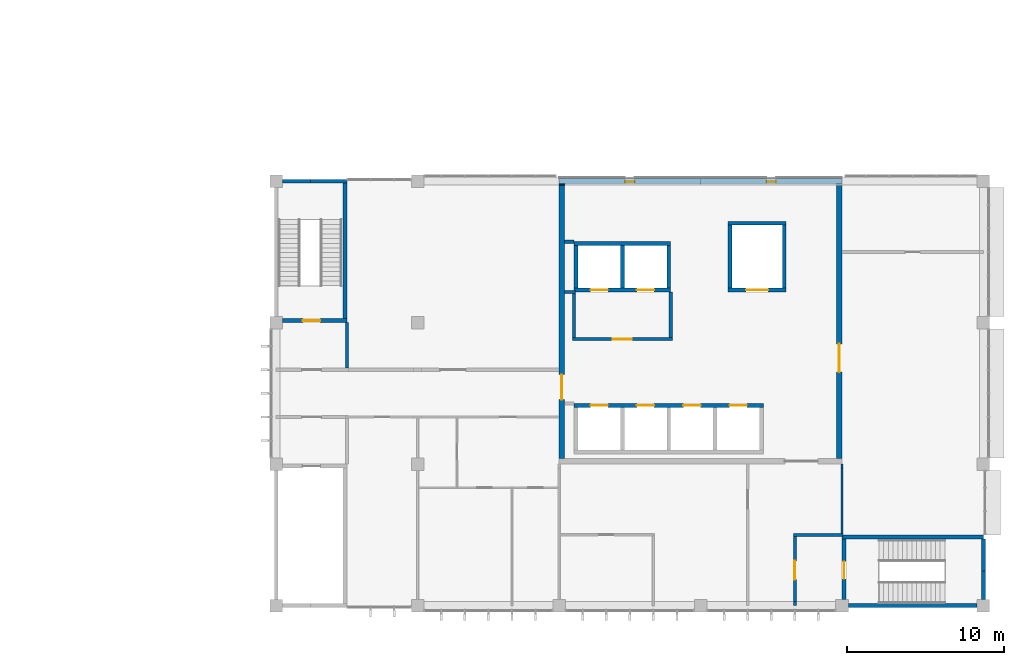
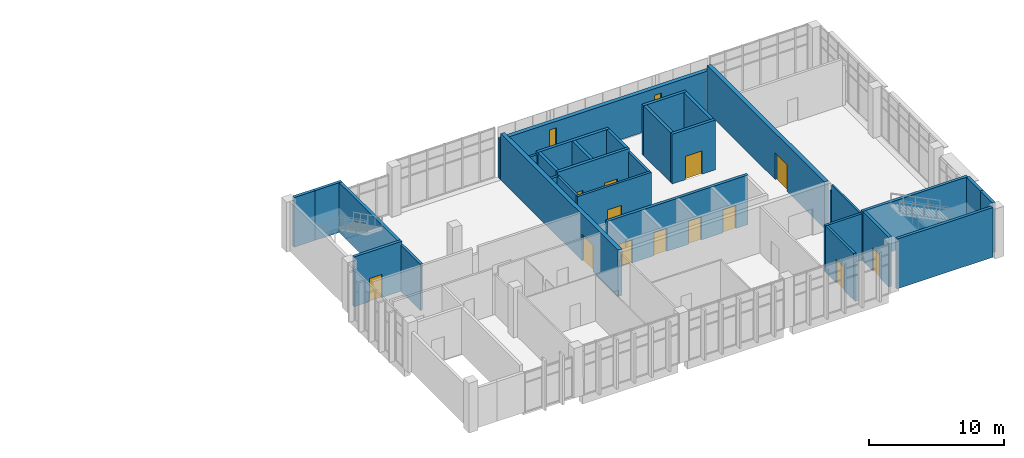
# One storey, part 14 of 19: 34 walls, 13 doors, 2 windows, 15 openings.
"""IFC4 building model written with IfcOpenShell, lengths in metres."""

from ifc_helpers import new_model, si_unit, direction, frame, frame_2d, origin, place, context, subcontext, project, spatial, rectangle, extrude, material, layer, layer_set, type_object, element, fill, save


model = new_model("IFC4")

# Units and contexts
model_context = context("Model", 3, precision=1e-05, world=origin(), true_north=direction((0.0, 1.0)))
body_context = subcontext(model_context, "Body", "Model", "MODEL_VIEW")
ifc_project = project(units=[si_unit("LENGTHUNIT", "METRE"), si_unit("AREAUNIT", "SQUARE_METRE"), si_unit("VOLUMEUNIT", "CUBIC_METRE"), si_unit("PLANEANGLEUNIT", "RADIAN"), si_unit("MASSUNIT", "GRAM", prefix="KILO")], contexts=[model_context])

# Site, building, storey
site_placement = place(None, origin())
site = spatial("IfcSite", under=ifc_project, at=site_placement, CompositionType="ELEMENT")
building_placement = place(site_placement, origin())
building = spatial("IfcBuilding", under=site, at=building_placement, Name="Guidao Yard Department Store", CompositionType="ELEMENT")
storey_placement = place(building_placement, frame((0.0, 0.0, 33.0)))
storey = spatial("IfcBuildingStorey", under=building, at=storey_placement, Name="L07", CompositionType="ELEMENT", Elevation=33.0)

# Walls
ifc_material_1 = material(Name="Gypsum Board")
ifc_layer_1 = layer(ifc_material_1, 0.14990234375)
ifc_layer_set_1 = layer_set([ifc_layer_1], Name="Corridor Partition 150 Gypsum Board EI 60")
wall_type_1 = type_object("IfcWallType", Name="Corridor Partition 150 Gypsum Board EI 60", PredefinedType="PARTITIONING", material=ifc_layer_set_1)
wall_1_placement = place(storey_placement, frame((162.0, 4.60009765625, 0.0), z_axis=(0.0, 0.0, 1.0), x_axis=(0.0, 1.0, 0.0)))
element("IfcWall", 1, at=wall_1_placement, inside=storey, type_object=wall_type_1, Name="pt.wall.L07.0028", PredefinedType="PARTITIONING", context=body_context, shape_type="SweptSolid", body=[
    extrude(rectangle(XDim=4.14990234375, YDim=0.14990234375, at=frame_2d((2.074951171875, 0.0))), origin(), (0.0, 0.0, 1.0), 4.199951171875),
])
wall_2_placement = place(storey_placement, frame((162.0, 8.75, 0.0), z_axis=(0.0, 0.0, 1.0), x_axis=(0.0, 1.0, 0.0)))
element("IfcWall", 2, at=wall_2_placement, inside=storey, type_object=wall_type_1, Name="pt.wall.L07.0028a", PredefinedType="PARTITIONING", context=body_context, shape_type="SweptSolid", body=[
    extrude(rectangle(XDim=0.25, YDim=0.14990234375, at=frame_2d((0.125, 0.0))), origin(), (0.0, 0.0, 1.0), 3.60009765625),
])
ifc_material_2 = material(Name="Autoclaved aerated concrete block A3.5 B06", Category="concrete")
ifc_layer_2 = layer(ifc_material_2, 0.199951171875)
ifc_layer_set_2 = layer_set([ifc_layer_2], Name="Fire Wall 200 Autoclaved Block EI 120")
wall_type_2 = type_object("IfcWallType", Name="Fire Wall 200 Autoclaved Block EI 120", PredefinedType="PARTITIONING", material=ifc_layer_set_2)
wall_3_placement = place(storey_placement, frame((130.5, 15.10009765625, 0.0), z_axis=(0.0, 0.0, 1.0), x_axis=(0.0, 1.0, 0.0)))
element("IfcWall", 3, at=wall_3_placement, inside=storey, type_object=wall_type_2, Name="pt.wall.L07.0015", PredefinedType="PARTITIONING", context=body_context, shape_type="SweptSolid", body=[
    extrude(rectangle(XDim=2.89990234375, YDim=0.199951171875, at=frame_2d((1.449951171875, 0.0))), origin(), (0.0, 0.0, 1.0), 4.199951171875),
])

# Wall, openings, windows
ifc_material_3 = material(Name="Concrete C40", Category="concrete")
ifc_layer_3 = layer(ifc_material_3, 0.35009765625)
ifc_layer_set_3 = layer_set([ifc_layer_3], Name="Office core face wall 350 C40")
wall_type_3 = type_object("IfcWallType", Name="Office core face wall 350 C40", PredefinedType="SOLIDWALL", material=ifc_layer_set_3)
wall_4_placement = place(storey_placement, frame((144.0, 27.0, 0.0), z_axis=(0.0, 0.0, 1.0), x_axis=(1.0, 0.0, 0.0)))
wall_4 = element("IfcWall", 4, at=wall_4_placement, inside=storey, type_object=wall_type_3, Name="Office north face wall", PredefinedType="SOLIDWALL", context=body_context, shape_type="SweptSolid", body=[
    extrude(rectangle(XDim=18.0, YDim=0.35009765625, at=frame_2d((9.0, 0.0))), origin(), (0.0, 0.0, 1.0), 3.60009765625),
])
opening_1_placement = place(wall_4_placement, frame((4.199951171875, 0.0, 0.60009765625)))
opening_1 = element("IfcOpeningElement", 5, at=opening_1_placement, cuts=wall_4, Name="Opening WN-L07-E01", PredefinedType="OPENING", context=body_context, shape_type="SweptSolid", body=[
    extrude(rectangle(XDim=0.60009765625, YDim=2.39990234375, at=frame_2d((0.300048828125, 1.199951171875))), frame((0.0, 0.18505859375, 0.0), z_axis=(0.0, -1.0, 0.0), x_axis=(1.0, 0.0, 0.0)), (0.0, 0.0, 1.0), 0.3701171875),
])
opening_2_placement = place(wall_4_placement, frame((13.199951171875, 0.0, 0.60009765625)))
opening_2 = element("IfcOpeningElement", 6, at=opening_2_placement, cuts=wall_4, Name="Opening WN-L07-E02", PredefinedType="OPENING", context=body_context, shape_type="SweptSolid", body=[
    extrude(rectangle(XDim=0.60009765625, YDim=2.39990234375, at=frame_2d((0.300048828125, 1.199951171875))), frame((0.0, 0.18505859375, 0.0), z_axis=(0.0, -1.0, 0.0), x_axis=(1.0, 0.0, 0.0)), (0.0, 0.0, 1.0), 0.3701171875),
])
ifc_material_4 = material(Name="Laminated glass in aluminium frame", Category="aluminium")
window_type = type_object("IfcWindowType", Name="Lobby window LW1 600 x 2400 fixed", PartitioningType="SINGLE_PANEL", PredefinedType="WINDOW", material=ifc_material_4)
window_1_placement = place(opening_1_placement, origin())
window_1 = element("IfcWindow", 7, at=window_1_placement, inside=storey, type_object=window_type, Name="Lift lobby window", OverallHeight=2.39990234375, OverallWidth=0.60009765625, PartitioningType="SINGLE_PANEL", PredefinedType="WINDOW", context=body_context, shape_type="SweptSolid", body=[
    extrude(rectangle(XDim=0.60009765625, YDim=2.39990234375, at=frame_2d((0.300048828125, 1.199951171875))), frame((0.0, -0.0048828125, 0.0), z_axis=(0.0, -1.0, 0.0), x_axis=(1.0, 0.0, 0.0)), (0.0, 0.0, 1.0), 0.06005859375),
])
fill(opening_1, window_1)
window_2_placement = place(opening_2_placement, origin())
window_2 = element("IfcWindow", 8, at=window_2_placement, inside=storey, type_object=window_type, Name="Lift lobby window", OverallHeight=2.39990234375, OverallWidth=0.60009765625, PartitioningType="SINGLE_PANEL", PredefinedType="WINDOW", context=body_context, shape_type="SweptSolid", body=[
    extrude(rectangle(XDim=0.60009765625, YDim=2.39990234375, at=frame_2d((0.300048828125, 1.199951171875))), frame((0.0, -0.0048828125, 0.0), z_axis=(0.0, -1.0, 0.0), x_axis=(1.0, 0.0, 0.0)), (0.0, 0.0, 1.0), 0.06005859375),
])
fill(opening_2, window_2)

# Wall
ifc_material_5 = material(Name="Autoclaved aerated concrete block A3.5 B06", Category="concrete")
ifc_layer_4 = layer(ifc_material_5, 0.199951171875)
ifc_layer_set_4 = layer_set([ifc_layer_4], Name="Shaft Wall 200 Autoclaved Block EI 120")
wall_type_4 = type_object("IfcWallType", Name="Shaft Wall 200 Autoclaved Block EI 120", PredefinedType="PARTITIONING", material=ifc_layer_set_4)
wall_5_placement = place(storey_placement, frame((158.89990234375, 4.5, 0.0), z_axis=(0.0, 0.0, 1.0), x_axis=(1.0, 0.0, 0.0)))
element("IfcWall", 9, at=wall_5_placement, inside=storey, type_object=wall_type_4, Name="pt.wall.L07.0002", PredefinedType="PARTITIONING", context=body_context, shape_type="SweptSolid", body=[
    extrude(rectangle(XDim=3.175048828125, YDim=0.199951171875, at=frame_2d((1.58740234375, 0.0))), origin(), (0.0, 0.0, 1.0), 4.199951171875),
])

# Wall, opening, door
wall_6_placement = place(storey_placement, frame((144.85009765625, 16.949951171875, 0.0), z_axis=(0.0, 0.0, 1.0), x_axis=(1.0, 0.0, 0.0)))
wall_6 = element("IfcWall", 10, at=wall_6_placement, inside=storey, type_object=wall_type_4, Name="pt.wall.L07.0010", PredefinedType="PARTITIONING", context=body_context, shape_type="SweptSolid", body=[
    extrude(rectangle(XDim=6.349853515625, YDim=0.199951171875, at=frame_2d((3.1748046875, 0.0))), origin(), (0.0, 0.0, 1.0), 4.199951171875),
])
opening_3_placement = place(wall_6_placement, frame((2.574951171875, 0.0, 0.0)))
opening_3 = element("IfcOpeningElement", 11, at=opening_3_placement, cuts=wall_6, Name="Opening L07-400", PredefinedType="OPENING", context=body_context, shape_type="SweptSolid", body=[
    extrude(rectangle(XDim=1.199951171875, YDim=2.10009765625, at=frame_2d((0.60009765625, 1.050048828125))), frame((0.0, 0.10986328125, 0.0), z_axis=(0.0, -1.0, 0.0), x_axis=(1.0, 0.0, 0.0)), (0.0, 0.0, 1.0), 0.219970703125),
])
ifc_material_6 = material(Name="Timber door leaf with Steel Q235 frame", Category="steel")
door_type_1 = type_object("IfcDoorType", Name="Door 1200 x 2100 FD60 Single Leaf", OperationType="SINGLE_SWING_LEFT", PredefinedType="DOOR", material=ifc_material_6)
door_1_placement = place(opening_3_placement, origin())
door_1 = element("IfcDoor", 12, at=door_1_placement, inside=storey, type_object=door_type_1, Name="Door L07-400", OperationType="SINGLE_SWING_RIGHT", OverallHeight=2.10009765625, OverallWidth=1.199951171875, PredefinedType="DOOR", context=body_context, shape_type="SweptSolid", body=[
    extrude(rectangle(XDim=1.199951171875, YDim=2.10009765625, at=frame_2d((0.60009765625, 1.050048828125))), frame((0.0, 0.02490234375, 0.0), z_axis=(0.0, -1.0, 0.0), x_axis=(1.0, 0.0, 0.0)), (0.0, 0.0, 1.0), 0.050048828125),
])
fill(opening_3, door_1)

# Walls
wall_7_placement = place(storey_placement, frame((144.35009765625, 19.949951171875, 0.0), z_axis=(0.0, 0.0, 1.0), x_axis=(1.0, 0.0, 0.0)))
element("IfcWall", 13, at=wall_7_placement, inside=storey, type_object=wall_type_4, Name="pt.wall.L07.0011", PredefinedType="PARTITIONING", context=body_context, shape_type="SweptSolid", body=[
    extrude(rectangle(XDim=0.699951171875, YDim=0.199951171875, at=frame_2d((0.35009765625, 0.0))), origin(), (0.0, 0.0, 1.0), 4.199951171875),
])
wall_8_placement = place(storey_placement, frame((144.35009765625, 23.14990234375, 0.0), z_axis=(0.0, 0.0, 1.0), x_axis=(1.0, 0.0, 0.0)))
element("IfcWall", 14, at=wall_8_placement, inside=storey, type_object=wall_type_4, Name="pt.wall.L07.0013", PredefinedType="PARTITIONING", context=body_context, shape_type="SweptSolid", body=[
    extrude(rectangle(XDim=0.599853515625, YDim=0.199951171875, at=frame_2d((0.2998046875, 0.0))), origin(), (0.0, 0.0, 1.0), 4.199951171875),
])
wall_9_placement = place(storey_placement, frame((144.949951171875, 17.050048828125, 0.0), z_axis=(0.0, 0.0, 1.0), x_axis=(0.0, 1.0, 0.0)))
element("IfcWall", 15, at=wall_9_placement, inside=storey, type_object=wall_type_4, Name="pt.wall.L07.0022", PredefinedType="PARTITIONING", context=body_context, shape_type="SweptSolid", body=[
    extrude(rectangle(XDim=2.800048828125, YDim=0.199951171875, at=frame_2d((1.39990234375, 0.0))), origin(), (0.0, 0.0, 1.0), 4.199951171875),
])
wall_10_placement = place(storey_placement, frame((151.10009765625, 17.050048828125, 0.0), z_axis=(0.0, 0.0, 1.0), x_axis=(0.0, 1.0, 0.0)))
element("IfcWall", 16, at=wall_10_placement, inside=storey, type_object=wall_type_4, Name="pt.wall.L07.0024", PredefinedType="PARTITIONING", context=body_context, shape_type="SweptSolid", body=[
    extrude(rectangle(XDim=2.89990234375, YDim=0.199951171875, at=frame_2d((1.449951171875, 0.0))), origin(), (0.0, 0.0, 1.0), 4.199951171875),
])
wall_11_placement = place(storey_placement, frame((159.0, 0.0, 0.0), z_axis=(0.0, 0.0, 1.0), x_axis=(0.0, 1.0, 0.0)))
element("IfcWall", 17, at=wall_11_placement, inside=storey, type_object=wall_type_4, Name="pt.wall.L07.0026", PredefinedType="PARTITIONING", context=body_context, shape_type="SweptSolid", body=[
    extrude(rectangle(XDim=0.25, YDim=0.199951171875, at=frame_2d((0.125, 0.0))), origin(), (0.0, 0.0, 1.0), 3.60009765625),
])

# Wall, opening, door
wall_12_placement = place(storey_placement, frame((159.0, 0.25, 0.0), z_axis=(0.0, 0.0, 1.0), x_axis=(0.0, 1.0, 0.0)))
wall_12 = element("IfcWall", 18, at=wall_12_placement, inside=storey, type_object=wall_type_4, Name="pt.wall.L07.0026a", PredefinedType="PARTITIONING", context=body_context, shape_type="SweptSolid", body=[
    extrude(rectangle(XDim=4.14990234375, YDim=0.199951171875, at=frame_2d((2.074951171875, 0.0))), origin(), (0.0, 0.0, 1.0), 4.199951171875),
])
opening_4_placement = place(wall_12_placement, frame((2.599853515625, 0.0, 0.0), z_axis=(0.0, 0.0, 1.0), x_axis=(-1.0, 0.0, 0.0)))
opening_4 = element("IfcOpeningElement", 19, at=opening_4_placement, cuts=wall_12, Name="Opening L07-402", PredefinedType="OPENING", context=body_context, shape_type="SweptSolid", body=[
    extrude(rectangle(XDim=1.199951171875, YDim=2.10009765625, at=frame_2d((0.60009765625, 1.050048828125))), frame((0.0, 0.10986328125, 0.0), z_axis=(0.0, -1.0, 0.0), x_axis=(1.0, 0.0, 0.0)), (0.0, 0.0, 1.0), 0.219970703125),
])
door_2_placement = place(opening_4_placement, origin())
door_2 = element("IfcDoor", 20, at=door_2_placement, inside=storey, type_object=door_type_1, Name="Door L07-402", OperationType="SINGLE_SWING_RIGHT", OverallHeight=2.10009765625, OverallWidth=1.199951171875, PredefinedType="DOOR", context=body_context, shape_type="SweptSolid", body=[
    extrude(rectangle(XDim=1.199951171875, YDim=2.10009765625, at=frame_2d((0.60009765625, 1.050048828125))), frame((0.0, 0.02490234375, 0.0), z_axis=(0.0, -1.0, 0.0), x_axis=(1.0, 0.0, 0.0)), (0.0, 0.0, 1.0), 0.050048828125),
])
fill(opening_4, door_2)

ifc_material_7 = material(Name="Concrete C50", Category="concrete")
ifc_layer_5 = layer(ifc_material_7, 0.35009765625)
ifc_layer_set_5 = layer_set([ifc_layer_5], Name="Shear Wall 350 Concrete C50")
wall_type_5 = type_object("IfcWallType", Name="Shear Wall 350 Concrete C50", PredefinedType="SHEAR", material=ifc_layer_set_5)
wall_13_placement = place(storey_placement, frame((144.175048828125, 9.35009765625, 0.0), z_axis=(0.0, 0.0, 1.0), x_axis=(0.0, 1.0, 0.0)))
wall_13 = element("IfcWall", 21, at=wall_13_placement, inside=storey, type_object=wall_type_5, Name="pt.wall.L07.0021", PredefinedType="SHEAR", context=body_context, shape_type="SweptSolid", body=[
    extrude(rectangle(XDim=17.39990234375, YDim=0.35009765625, at=frame_2d((8.699951171875, 0.0))), origin(), (0.0, 0.0, 1.0), 4.199951171875),
])
opening_5_placement = place(wall_13_placement, frame((3.75, 0.0, 0.0)))
opening_5 = element("IfcOpeningElement", 22, at=opening_5_placement, cuts=wall_13, Name="Opening L07-404", PredefinedType="OPENING", context=body_context, shape_type="SweptSolid", body=[
    extrude(rectangle(XDim=1.60009765625, YDim=2.39990234375, at=frame_2d((0.800048828125, 1.199951171875))), frame((0.0, 0.18505859375, 0.0), z_axis=(0.0, -1.0, 0.0), x_axis=(1.0, 0.0, 0.0)), (0.0, 0.0, 1.0), 0.3701171875),
])
ifc_material_8 = material(Name="Timber door leaf with Steel Q235 frame", Category="steel")
door_type_2 = type_object("IfcDoorType", Name="Door 1600 x 2400 FD60 Double Leaf", OperationType="DOUBLE_DOOR_SINGLE_SWING", PredefinedType="DOOR", material=ifc_material_8)
door_3_placement = place(opening_5_placement, origin())
door_3 = element("IfcDoor", 23, at=door_3_placement, inside=storey, type_object=door_type_2, Name="Door L07-404", OperationType="DOUBLE_DOOR_SINGLE_SWING", OverallHeight=2.39990234375, OverallWidth=1.60009765625, PredefinedType="DOOR", context=body_context, shape_type="SweptSolid", body=[
    extrude(rectangle(XDim=1.60009765625, YDim=2.39990234375, at=frame_2d((0.800048828125, 1.199951171875))), frame((0.0, 0.02490234375, 0.0), z_axis=(0.0, -1.0, 0.0), x_axis=(1.0, 0.0, 0.0)), (0.0, 0.0, 1.0), 0.050048828125),
])
fill(opening_5, door_3)

# Wall
wall_14_placement = place(storey_placement, frame((144.175048828125, 26.75, 0.0), z_axis=(0.0, 0.0, 1.0), x_axis=(0.0, 1.0, 0.0)))
element("IfcWall", 24, at=wall_14_placement, inside=storey, type_object=wall_type_5, Name="pt.wall.L07.0021a", PredefinedType="SHEAR", context=body_context, shape_type="SweptSolid", body=[
    extrude(rectangle(XDim=0.074951171875, YDim=0.35009765625, at=frame_2d((0.03759765625, 0.0))), origin(), (0.0, 0.0, 1.0), 3.60009765625),
])

# Wall, opening, door
wall_15_placement = place(storey_placement, frame((161.824951171875, 9.35009765625, 0.0), z_axis=(0.0, 0.0, 1.0), x_axis=(0.0, 1.0, 0.0)))
wall_15 = element("IfcWall", 25, at=wall_15_placement, inside=storey, type_object=wall_type_5, Name="pt.wall.L07.0027", PredefinedType="SHEAR", context=body_context, shape_type="SweptSolid", body=[
    extrude(rectangle(XDim=17.39990234375, YDim=0.35009765625, at=frame_2d((8.699951171875, 0.0))), origin(), (0.0, 0.0, 1.0), 4.199951171875),
])
opening_6_placement = place(wall_15_placement, frame((7.300048828125, 0.0, 0.0), z_axis=(0.0, 0.0, 1.0), x_axis=(-1.0, 0.0, 0.0)))
opening_6 = element("IfcOpeningElement", 26, at=opening_6_placement, cuts=wall_15, Name="Opening L07-405", PredefinedType="OPENING", context=body_context, shape_type="SweptSolid", body=[
    extrude(rectangle(XDim=1.800048828125, YDim=2.39990234375, at=frame_2d((0.89990234375, 1.199951171875))), frame((0.0, 0.18505859375, 0.0), z_axis=(0.0, -1.0, 0.0), x_axis=(1.0, 0.0, 0.0)), (0.0, 0.0, 1.0), 0.3701171875),
])
ifc_material_9 = material(Name="Timber door leaf with Steel Q235 frame", Category="steel")
door_type_3 = type_object("IfcDoorType", Name="Door 1800 x 2400 FD60 Double Leaf", OperationType="DOUBLE_DOOR_SINGLE_SWING", PredefinedType="DOOR", material=ifc_material_9)
door_4_placement = place(opening_6_placement, origin())
door_4 = element("IfcDoor", 27, at=door_4_placement, inside=storey, type_object=door_type_3, Name="Door L07-405", OperationType="DOUBLE_DOOR_SINGLE_SWING", OverallHeight=2.39990234375, OverallWidth=1.800048828125, PredefinedType="DOOR", context=body_context, shape_type="SweptSolid", body=[
    extrude(rectangle(XDim=1.800048828125, YDim=2.39990234375, at=frame_2d((0.89990234375, 1.199951171875))), frame((0.0, 0.02490234375, 0.0), z_axis=(0.0, -1.0, 0.0), x_axis=(1.0, 0.0, 0.0)), (0.0, 0.0, 1.0), 0.050048828125),
])
fill(opening_6, door_4)

# Walls
ifc_material_10 = material(Name="Concrete C40", Category="concrete")
ifc_layer_6 = layer(ifc_material_10, 0.25)
ifc_layer_set_6 = layer_set([ifc_layer_6], Name="Wall RC 250 C40 stair and shaft")
wall_type_6 = type_object("IfcWallType", Name="Wall RC 250 C40 stair and shaft", PredefinedType="SHEAR", material=ifc_layer_set_6)
wall_16_placement = place(storey_placement, frame((162.39990234375, 0.0, 0.0), z_axis=(0.0, 0.0, 1.0), x_axis=(1.0, 0.0, 0.0)))
element("IfcWall", 28, at=wall_16_placement, inside=storey, type_object=wall_type_6, Name="Stair wall SO2", PredefinedType="SHEAR", context=body_context, shape_type="SweptSolid", body=[
    extrude(rectangle(XDim=8.2001953125, YDim=0.25, at=frame_2d((4.10009765625, 0.0))), origin(), (0.0, 0.0, 1.0), 4.5),
])
wall_17_placement = place(storey_placement, frame((162.0, 4.375, 0.0), z_axis=(0.0, 0.0, 1.0), x_axis=(1.0, 0.0, 0.0)))
element("IfcWall", 29, at=wall_17_placement, inside=storey, type_object=wall_type_6, Name="Stair wall SO2", PredefinedType="SHEAR", context=body_context, shape_type="SweptSolid", body=[
    extrude(rectangle(XDim=9.0, YDim=0.25, at=frame_2d((4.5, 0.0))), origin(), (0.0, 0.0, 1.0), 4.5),
])

# Wall, opening, door
wall_18_placement = place(storey_placement, frame((162.125, 0.39990234375, 0.0), z_axis=(0.0, 0.0, 1.0), x_axis=(0.0, 1.0, 0.0)))
wall_18 = element("IfcWall", 30, at=wall_18_placement, inside=storey, type_object=wall_type_6, Name="Stair wall SO2", PredefinedType="SHEAR", context=body_context, shape_type="SweptSolid", body=[
    extrude(rectangle(XDim=3.85009765625, YDim=0.25, at=frame_2d((1.925048828125, 0.0))), origin(), (0.0, 0.0, 1.0), 4.5),
])
opening_7_placement = place(wall_18_placement, frame((2.400146484375, 0.0, 0.0), z_axis=(0.0, 0.0, 1.0), x_axis=(-1.0, 0.0, 0.0)))
opening_7 = element("IfcOpeningElement", 31, at=opening_7_placement, cuts=wall_18, Name="Opening L07-801", PredefinedType="OPENING", context=body_context, shape_type="SweptSolid", body=[
    extrude(rectangle(XDim=1.10009765625, YDim=2.10009765625, at=frame_2d((0.550048828125, 1.050048828125))), frame((0.0, 0.135009765625, 0.0), z_axis=(0.0, -1.0, 0.0), x_axis=(1.0, 0.0, 0.0)), (0.0, 0.0, 1.0), 0.27001953125),
])
ifc_material_11 = material(Name="Steel Q235", Category="steel")
door_type_4 = type_object("IfcDoorType", Name="Door fire-resisting 1100 x 2100 FD60", OperationType="SINGLE_SWING_LEFT", PredefinedType="DOOR", material=ifc_material_11)
door_5_placement = place(opening_7_placement, origin())
door_5 = element("IfcDoor", 32, at=door_5_placement, inside=storey, type_object=door_type_4, Name="Stair O2 door L07", OperationType="SINGLE_SWING_RIGHT", OverallHeight=2.10009765625, OverallWidth=1.10009765625, PredefinedType="DOOR", context=body_context, shape_type="SweptSolid", body=[
    extrude(rectangle(XDim=1.10009765625, YDim=2.10009765625, at=frame_2d((0.550048828125, 1.050048828125))), frame((0.0, 0.02490234375, 0.0), z_axis=(0.0, -1.0, 0.0), x_axis=(1.0, 0.0, 0.0)), (0.0, 0.0, 1.0), 0.050048828125),
])
fill(opening_7, door_5)

# Walls
wall_19_placement = place(storey_placement, frame((171.0, 0.39990234375, 0.0), z_axis=(0.0, 0.0, 1.0), x_axis=(0.0, 1.0, 0.0)))
element("IfcWall", 33, at=wall_19_placement, inside=storey, type_object=wall_type_6, Name="Stair wall SO2", PredefinedType="SHEAR", context=body_context, shape_type="SweptSolid", body=[
    extrude(rectangle(XDim=1.7880859375, YDim=0.25, at=frame_2d((0.89404296875, 0.0))), origin(), (0.0, 0.0, 1.0), 4.5),
])
wall_20_placement = place(storey_placement, frame((171.0, 2.18798828125, 0.0), z_axis=(0.0, 0.0, 1.0), x_axis=(0.0, 1.0, 0.0)))
element("IfcWall", 34, at=wall_20_placement, inside=storey, type_object=wall_type_6, Name="Stair wall SO2", PredefinedType="SHEAR", context=body_context, shape_type="SweptSolid", body=[
    extrude(rectangle(XDim=2.06201171875, YDim=0.25, at=frame_2d((1.031005859375, 0.0))), origin(), (0.0, 0.0, 1.0), 4.5),
])

# Wall, opening, door
wall_21_placement = place(storey_placement, frame((126.39990234375, 18.125, 0.0), z_axis=(0.0, 0.0, 1.0), x_axis=(1.0, 0.0, 0.0)))
wall_21 = element("IfcWall", 35, at=wall_21_placement, inside=storey, type_object=wall_type_6, Name="Stair wall SO3", PredefinedType="SHEAR", context=body_context, shape_type="SweptSolid", body=[
    extrude(rectangle(XDim=4.10009765625, YDim=0.25, at=frame_2d((2.050048828125, 0.0))), origin(), (0.0, 0.0, 1.0), 4.5),
])
opening_8_placement = place(wall_21_placement, frame((1.300048828125, 0.0, 0.0)))
opening_8 = element("IfcOpeningElement", 36, at=opening_8_placement, cuts=wall_21, Name="Opening L07-802", PredefinedType="OPENING", context=body_context, shape_type="SweptSolid", body=[
    extrude(rectangle(XDim=1.10009765625, YDim=2.10009765625, at=frame_2d((0.550048828125, 1.050048828125))), frame((0.0, 0.135009765625, 0.0), z_axis=(0.0, -1.0, 0.0), x_axis=(1.0, 0.0, 0.0)), (0.0, 0.0, 1.0), 0.27001953125),
])
door_6_placement = place(opening_8_placement, origin())
door_6 = element("IfcDoor", 37, at=door_6_placement, inside=storey, type_object=door_type_4, Name="Stair O3 door L07", OperationType="SINGLE_SWING_LEFT", OverallHeight=2.10009765625, OverallWidth=1.10009765625, PredefinedType="DOOR", context=body_context, shape_type="SweptSolid", body=[
    extrude(rectangle(XDim=1.10009765625, YDim=2.10009765625, at=frame_2d((0.550048828125, 1.050048828125))), frame((0.0, 0.02490234375, 0.0), z_axis=(0.0, -1.0, 0.0), x_axis=(1.0, 0.0, 0.0)), (0.0, 0.0, 1.0), 0.050048828125),
])
fill(opening_8, door_6)

# Walls
wall_22_placement = place(storey_placement, frame((126.39990234375, 27.0, 0.0), z_axis=(0.0, 0.0, 1.0), x_axis=(1.0, 0.0, 0.0)))
element("IfcWall", 38, at=wall_22_placement, inside=storey, type_object=wall_type_6, Name="Stair wall SO3", PredefinedType="SHEAR", context=body_context, shape_type="SweptSolid", body=[
    extrude(rectangle(XDim=1.7880859375, YDim=0.25, at=frame_2d((0.89404296875, 0.0))), origin(), (0.0, 0.0, 1.0), 4.5),
])
wall_23_placement = place(storey_placement, frame((128.18798828125, 27.0, 0.0), z_axis=(0.0, 0.0, 1.0), x_axis=(1.0, 0.0, 0.0)))
element("IfcWall", 39, at=wall_23_placement, inside=storey, type_object=wall_type_6, Name="Stair wall SO3", PredefinedType="SHEAR", context=body_context, shape_type="SweptSolid", body=[
    extrude(rectangle(XDim=2.31201171875, YDim=0.25, at=frame_2d((1.156005859375, 0.0))), origin(), (0.0, 0.0, 1.0), 4.5),
])
wall_24_placement = place(storey_placement, frame((130.375, 18.25, 0.0), z_axis=(0.0, 0.0, 1.0), x_axis=(0.0, 1.0, 0.0)))
element("IfcWall", 40, at=wall_24_placement, inside=storey, type_object=wall_type_6, Name="Stair wall SO3", PredefinedType="SHEAR", context=body_context, shape_type="SweptSolid", body=[
    extrude(rectangle(XDim=8.625, YDim=0.25, at=frame_2d((4.3125, 0.0))), origin(), (0.0, 0.0, 1.0), 4.5),
])

# Wall, openings, doors
wall_25_placement = place(storey_placement, frame((144.949951171875, 12.72509765625, 0.0), z_axis=(0.0, 0.0, 1.0), x_axis=(1.0, 0.0, 0.0)))
wall_25 = element("IfcWall", 41, at=wall_25_placement, inside=storey, type_object=wall_type_6, Name="Lift shaft wall OL1 to OL4", PredefinedType="SHEAR", context=body_context, shape_type="SweptSolid", body=[
    extrude(rectangle(XDim=12.050048828125, YDim=0.25, at=frame_2d((6.02490234375, 0.0))), origin(), (0.0, 0.0, 1.0), 4.5),
])
opening_9_placement = place(wall_25_placement, frame((1.050048828125, 0.0, 0.0)))
opening_9 = element("IfcOpeningElement", 42, at=opening_9_placement, cuts=wall_25, Name="Opening LD-OL1-L07", PredefinedType="OPENING", context=body_context, shape_type="SweptSolid", body=[
    extrude(rectangle(XDim=1.10009765625, YDim=2.10009765625, at=frame_2d((0.550048828125, 1.050048828125))), frame((0.0, 0.135009765625, 0.0), z_axis=(0.0, -1.0, 0.0), x_axis=(1.0, 0.0, 0.0)), (0.0, 0.0, 1.0), 0.27001953125),
])
opening_10_placement = place(wall_25_placement, frame((4.0, 0.0, 0.0)))
opening_10 = element("IfcOpeningElement", 43, at=opening_10_placement, cuts=wall_25, Name="Opening LD-OL2-L07", PredefinedType="OPENING", context=body_context, shape_type="SweptSolid", body=[
    extrude(rectangle(XDim=1.10009765625, YDim=2.10009765625, at=frame_2d((0.550048828125, 1.050048828125))), frame((0.0, 0.135009765625, 0.0), z_axis=(0.0, -1.0, 0.0), x_axis=(1.0, 0.0, 0.0)), (0.0, 0.0, 1.0), 0.27001953125),
])
opening_11_placement = place(wall_25_placement, frame((6.949951171875, 0.0, 0.0)))
opening_11 = element("IfcOpeningElement", 44, at=opening_11_placement, cuts=wall_25, Name="Opening LD-OL3-L07", PredefinedType="OPENING", context=body_context, shape_type="SweptSolid", body=[
    extrude(rectangle(XDim=1.10009765625, YDim=2.10009765625, at=frame_2d((0.550048828125, 1.050048828125))), frame((0.0, 0.135009765625, 0.0), z_axis=(0.0, -1.0, 0.0), x_axis=(1.0, 0.0, 0.0)), (0.0, 0.0, 1.0), 0.27001953125),
])
opening_12_placement = place(wall_25_placement, frame((9.89990234375, 0.0, 0.0)))
opening_12 = element("IfcOpeningElement", 45, at=opening_12_placement, cuts=wall_25, Name="Opening LD-OL4-L07", PredefinedType="OPENING", context=body_context, shape_type="SweptSolid", body=[
    extrude(rectangle(XDim=1.10009765625, YDim=2.10009765625, at=frame_2d((0.550048828125, 1.050048828125))), frame((0.0, 0.135009765625, 0.0), z_axis=(0.0, -1.0, 0.0), x_axis=(1.0, 0.0, 0.0)), (0.0, 0.0, 1.0), 0.27001953125),
])
ifc_material_12 = material(Name="Stainless steel 06Cr19Ni10", Category="steel")
door_type_5 = type_object("IfcDoorType", Name="Lift landing door fire-resisting sliding 1100 x 2100", OperationType="DOUBLE_DOOR_SLIDING", PredefinedType="DOOR", material=ifc_material_12)
door_7_placement = place(opening_9_placement, origin())
door_7 = element("IfcDoor", 46, at=door_7_placement, inside=storey, type_object=door_type_5, Name="Lift landing door OL1 L07", OperationType="DOUBLE_DOOR_SLIDING", OverallHeight=2.10009765625, OverallWidth=1.10009765625, PredefinedType="DOOR", context=body_context, shape_type="SweptSolid", body=[
    extrude(rectangle(XDim=1.10009765625, YDim=2.10009765625, at=frame_2d((0.550048828125, 1.050048828125))), frame((0.0, 0.02490234375, 0.0), z_axis=(0.0, -1.0, 0.0), x_axis=(1.0, 0.0, 0.0)), (0.0, 0.0, 1.0), 0.050048828125),
])
fill(opening_9, door_7)
door_8_placement = place(opening_10_placement, origin())
door_8 = element("IfcDoor", 47, at=door_8_placement, inside=storey, type_object=door_type_5, Name="Lift landing door OL2 L07", OperationType="DOUBLE_DOOR_SLIDING", OverallHeight=2.10009765625, OverallWidth=1.10009765625, PredefinedType="DOOR", context=body_context, shape_type="SweptSolid", body=[
    extrude(rectangle(XDim=1.10009765625, YDim=2.10009765625, at=frame_2d((0.550048828125, 1.050048828125))), frame((0.0, 0.02490234375, 0.0), z_axis=(0.0, -1.0, 0.0), x_axis=(1.0, 0.0, 0.0)), (0.0, 0.0, 1.0), 0.050048828125),
])
fill(opening_10, door_8)
door_9_placement = place(opening_11_placement, origin())
door_9 = element("IfcDoor", 48, at=door_9_placement, inside=storey, type_object=door_type_5, Name="Lift landing door OL3 L07", OperationType="DOUBLE_DOOR_SLIDING", OverallHeight=2.10009765625, OverallWidth=1.10009765625, PredefinedType="DOOR", context=body_context, shape_type="SweptSolid", body=[
    extrude(rectangle(XDim=1.10009765625, YDim=2.10009765625, at=frame_2d((0.550048828125, 1.050048828125))), frame((0.0, 0.02490234375, 0.0), z_axis=(0.0, -1.0, 0.0), x_axis=(1.0, 0.0, 0.0)), (0.0, 0.0, 1.0), 0.050048828125),
])
fill(opening_11, door_9)
door_10_placement = place(opening_12_placement, origin())
door_10 = element("IfcDoor", 49, at=door_10_placement, inside=storey, type_object=door_type_5, Name="Lift landing door OL4 L07", OperationType="DOUBLE_DOOR_SLIDING", OverallHeight=2.10009765625, OverallWidth=1.10009765625, PredefinedType="DOOR", context=body_context, shape_type="SweptSolid", body=[
    extrude(rectangle(XDim=1.10009765625, YDim=2.10009765625, at=frame_2d((0.550048828125, 1.050048828125))), frame((0.0, 0.02490234375, 0.0), z_axis=(0.0, -1.0, 0.0), x_axis=(1.0, 0.0, 0.0)), (0.0, 0.0, 1.0), 0.050048828125),
])
fill(opening_12, door_10)

wall_26_placement = place(storey_placement, frame((144.949951171875, 20.074951171875, 0.0), z_axis=(0.0, 0.0, 1.0), x_axis=(1.0, 0.0, 0.0)))
wall_26 = element("IfcWall", 50, at=wall_26_placement, inside=storey, type_object=wall_type_6, Name="Lift shaft wall OF1 to OF2", PredefinedType="SHEAR", context=body_context, shape_type="SweptSolid", body=[
    extrude(rectangle(XDim=6.150146484375, YDim=0.25, at=frame_2d((3.0751953125, 0.0))), origin(), (0.0, 0.0, 1.0), 4.5),
])
opening_13_placement = place(wall_26_placement, frame((1.050048828125, 0.0, 0.0)))
opening_13 = element("IfcOpeningElement", 51, at=opening_13_placement, cuts=wall_26, Name="Opening LD-OF1-L07", PredefinedType="OPENING", context=body_context, shape_type="SweptSolid", body=[
    extrude(rectangle(XDim=1.10009765625, YDim=2.10009765625, at=frame_2d((0.550048828125, 1.050048828125))), frame((0.0, 0.135009765625, 0.0), z_axis=(0.0, -1.0, 0.0), x_axis=(1.0, 0.0, 0.0)), (0.0, 0.0, 1.0), 0.27001953125),
])
opening_14_placement = place(wall_26_placement, frame((4.0, 0.0, 0.0)))
opening_14 = element("IfcOpeningElement", 52, at=opening_14_placement, cuts=wall_26, Name="Opening LD-OF2-L07", PredefinedType="OPENING", context=body_context, shape_type="SweptSolid", body=[
    extrude(rectangle(XDim=1.10009765625, YDim=2.10009765625, at=frame_2d((0.550048828125, 1.050048828125))), frame((0.0, 0.135009765625, 0.0), z_axis=(0.0, -1.0, 0.0), x_axis=(1.0, 0.0, 0.0)), (0.0, 0.0, 1.0), 0.27001953125),
])
door_11_placement = place(opening_13_placement, origin())
door_11 = element("IfcDoor", 53, at=door_11_placement, inside=storey, type_object=door_type_5, Name="Lift landing door OF1 L07", OperationType="DOUBLE_DOOR_SLIDING", OverallHeight=2.10009765625, OverallWidth=1.10009765625, PredefinedType="DOOR", context=body_context, shape_type="SweptSolid", body=[
    extrude(rectangle(XDim=1.10009765625, YDim=2.10009765625, at=frame_2d((0.550048828125, 1.050048828125))), frame((0.0, 0.02490234375, 0.0), z_axis=(0.0, -1.0, 0.0), x_axis=(1.0, 0.0, 0.0)), (0.0, 0.0, 1.0), 0.050048828125),
])
fill(opening_13, door_11)
door_12_placement = place(opening_14_placement, origin())
door_12 = element("IfcDoor", 54, at=door_12_placement, inside=storey, type_object=door_type_5, Name="Lift landing door OF2 L07", OperationType="DOUBLE_DOOR_SLIDING", OverallHeight=2.10009765625, OverallWidth=1.10009765625, PredefinedType="DOOR", context=body_context, shape_type="SweptSolid", body=[
    extrude(rectangle(XDim=1.10009765625, YDim=2.10009765625, at=frame_2d((0.550048828125, 1.050048828125))), frame((0.0, 0.02490234375, 0.0), z_axis=(0.0, -1.0, 0.0), x_axis=(1.0, 0.0, 0.0)), (0.0, 0.0, 1.0), 0.050048828125),
])
fill(opening_14, door_12)

# Walls
wall_27_placement = place(storey_placement, frame((144.949951171875, 23.02490234375, 0.0), z_axis=(0.0, 0.0, 1.0), x_axis=(1.0, 0.0, 0.0)))
element("IfcWall", 55, at=wall_27_placement, inside=storey, type_object=wall_type_6, Name="Lift shaft wall OF1 to OF2", PredefinedType="SHEAR", context=body_context, shape_type="SweptSolid", body=[
    extrude(rectangle(XDim=6.150146484375, YDim=0.25, at=frame_2d((3.0751953125, 0.0))), origin(), (0.0, 0.0, 1.0), 4.5),
])
for number, where, z_axis, x_axis, name in (
    (56, (145.074951171875, 20.199951171875, 0.0), (0.0, 0.0, 1.0), (0.0, 1.0, 0.0), "Lift shaft wall OF1 to OF2"),
    (57, (148.02490234375, 20.199951171875, 0.0), (0.0, 0.0, 1.0), (0.0, 1.0, 0.0), "Lift shaft wall OF1 to OF2"),
    (58, (150.97509765625, 20.199951171875, 0.0), (0.0, 0.0, 1.0), (0.0, 1.0, 0.0), "Lift shaft wall OF1 to OF2"),
):
    element("IfcWall", number, at=place(storey_placement, frame(where, z_axis=z_axis, x_axis=x_axis)), inside=storey, type_object=wall_type_6, Name=name, PredefinedType="SHEAR", context=body_context, shape_type="SweptSolid", body=[
        extrude(rectangle(XDim=2.699951171875, YDim=0.25, at=frame_2d((1.35009765625, 0.0))), origin(), (0.0, 0.0, 1.0), 4.5),
    ])

# Wall, opening, door
wall_28_placement = place(storey_placement, frame((154.75, 20.074951171875, 0.0), z_axis=(0.0, 0.0, 1.0), x_axis=(1.0, 0.0, 0.0)))
wall_28 = element("IfcWall", 59, at=wall_28_placement, inside=storey, type_object=wall_type_6, Name="Lift shaft wall OS1", PredefinedType="SHEAR", context=body_context, shape_type="SweptSolid", body=[
    extrude(rectangle(XDim=3.699951171875, YDim=0.25, at=frame_2d((1.85009765625, 0.0))), origin(), (0.0, 0.0, 1.0), 4.5),
])
opening_15_placement = place(wall_28_placement, frame((1.14990234375, 0.0, 0.0)))
opening_15 = element("IfcOpeningElement", 60, at=opening_15_placement, cuts=wall_28, Name="Opening LD-OS1-L07", PredefinedType="OPENING", context=body_context, shape_type="SweptSolid", body=[
    extrude(rectangle(XDim=1.39990234375, YDim=2.10009765625, at=frame_2d((0.699951171875, 1.050048828125))), frame((0.0, 0.135009765625, 0.0), z_axis=(0.0, -1.0, 0.0), x_axis=(1.0, 0.0, 0.0)), (0.0, 0.0, 1.0), 0.27001953125),
])
ifc_material_13 = material(Name="Stainless steel 06Cr19Ni10", Category="steel")
door_type_6 = type_object("IfcDoorType", Name="Lift landing door fire-resisting sliding 1400 x 2100", OperationType="DOUBLE_DOOR_SLIDING", PredefinedType="DOOR", material=ifc_material_13)
door_13_placement = place(opening_15_placement, origin())
door_13 = element("IfcDoor", 61, at=door_13_placement, inside=storey, type_object=door_type_6, Name="Lift landing door OS1 L07", OperationType="DOUBLE_DOOR_SLIDING", OverallHeight=2.10009765625, OverallWidth=1.39990234375, PredefinedType="DOOR", context=body_context, shape_type="SweptSolid", body=[
    extrude(rectangle(XDim=1.39990234375, YDim=2.10009765625, at=frame_2d((0.699951171875, 1.050048828125))), frame((0.0, 0.02490234375, 0.0), z_axis=(0.0, -1.0, 0.0), x_axis=(1.0, 0.0, 0.0)), (0.0, 0.0, 1.0), 0.050048828125),
])
fill(opening_15, door_13)

# Walls
wall_29_placement = place(storey_placement, frame((154.75, 24.324951171875, 0.0), z_axis=(0.0, 0.0, 1.0), x_axis=(1.0, 0.0, 0.0)))
element("IfcWall", 62, at=wall_29_placement, inside=storey, type_object=wall_type_6, Name="Lift shaft wall OS1", PredefinedType="SHEAR", context=body_context, shape_type="SweptSolid", body=[
    extrude(rectangle(XDim=3.699951171875, YDim=0.25, at=frame_2d((1.85009765625, 0.0))), origin(), (0.0, 0.0, 1.0), 4.5),
])
for number, where, z_axis, x_axis, name in (
    (63, (154.875, 20.199951171875, 0.0), (0.0, 0.0, 1.0), (0.0, 1.0, 0.0), "Lift shaft wall OS1"),
    (64, (158.324951171875, 20.199951171875, 0.0), (0.0, 0.0, 1.0), (0.0, 1.0, 0.0), "Lift shaft wall OS1"),
):
    element("IfcWall", number, at=place(storey_placement, frame(where, z_axis=z_axis, x_axis=x_axis)), inside=storey, type_object=wall_type_6, Name=name, PredefinedType="SHEAR", context=body_context, shape_type="SweptSolid", body=[
        extrude(rectangle(XDim=4.0, YDim=0.25, at=frame_2d((2.0, 0.0))), origin(), (0.0, 0.0, 1.0), 4.5),
    ])

save(model, "model.ifc")
